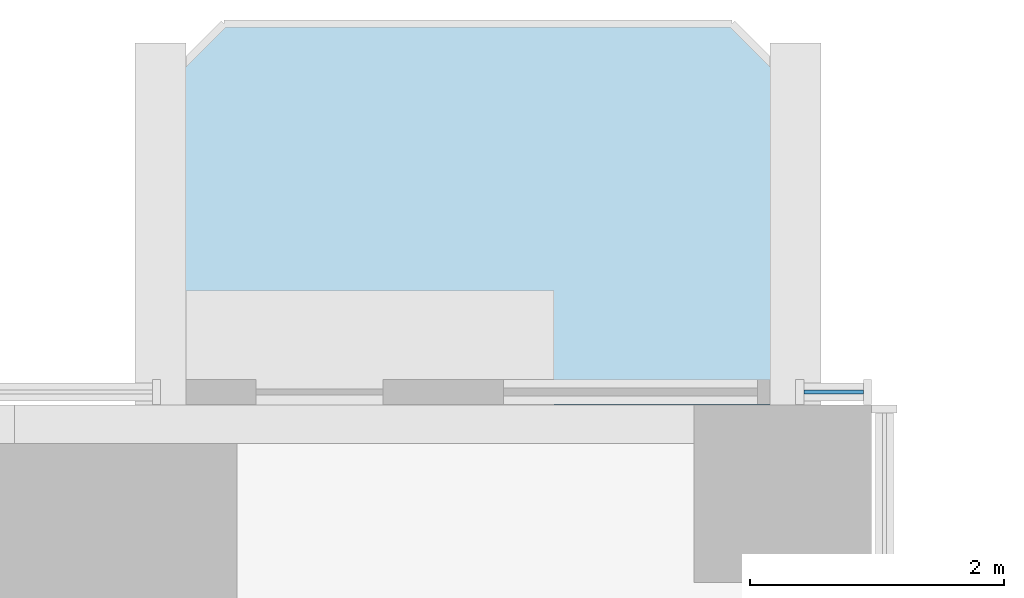
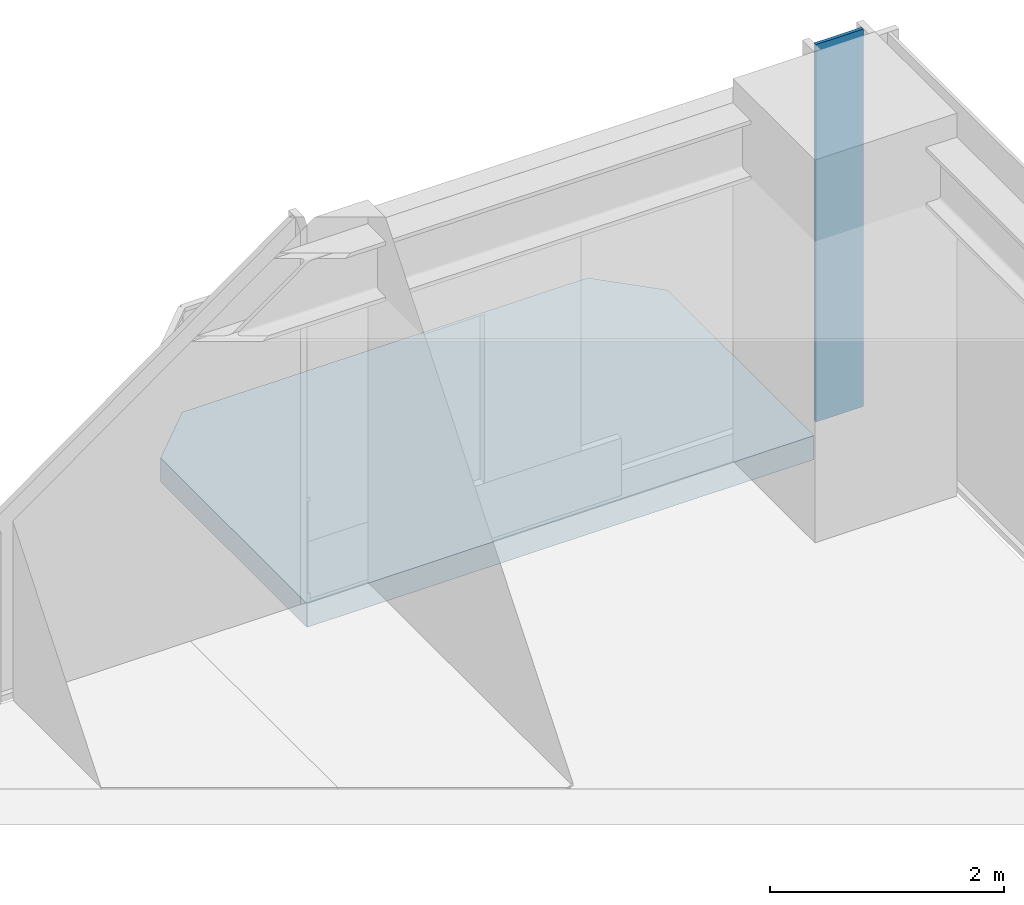
# One storey, part 10 of 17: 1 plate, 1 slab, 1 element without a shape of its own.
"""IFC4 building model written with IfcOpenShell, lengths in metres."""

from ifc_helpers import new_model, si_unit, direction, frame, origin, origin_2d, place, context, subcontext, project, spatial, polyline, rectangle, outline, extrude, material, layer, layer_set, type_object, element, aggregate, save


model = new_model("IFC4")

# Units and contexts
model_context = context("Model", 3, precision=1e-05, world=origin(), true_north=direction((0.0, 1.0)))
body_context = subcontext(model_context, "Body", "Model", "MODEL_VIEW")
ifc_project = project(units=[si_unit("LENGTHUNIT", "METRE"), si_unit("AREAUNIT", "SQUARE_METRE"), si_unit("VOLUMEUNIT", "CUBIC_METRE"), si_unit("PLANEANGLEUNIT", "RADIAN"), si_unit("MASSUNIT", "GRAM", prefix="KILO")], contexts=[model_context])

# Site, building, storey
site_placement = place(None, origin())
site = spatial("IfcSite", under=ifc_project, at=site_placement, CompositionType="ELEMENT")
building_placement = place(site_placement, origin())
building = spatial("IfcBuilding", under=site, at=building_placement, Name="Svetlomir Tower", CompositionType="ELEMENT")
storey_placement = place(building_placement, frame((0.0, 0.0, 30.5)))
storey = spatial("IfcBuildingStorey", under=building, at=storey_placement, Name="L06", CompositionType="ELEMENT", Elevation=30.5)

# Slab
ifc_material_1 = material(Name="Concrete C60/75", Category="concrete")
ifc_layer_1 = layer(ifc_material_1, 0.25)
ifc_layer_set_1 = layer_set([ifc_layer_1], Name="Concrete C60/75")
slab_type = type_object("IfcSlabType", Name="BALCONY SLAB 250", PredefinedType="FLOOR", material=ifc_layer_set_1)
slab_placement = place(storey_placement, frame((0.0, 0.0, -0.25)))
element("IfcSlab", 1, at=slab_placement, inside=storey, type_object=slab_type, Name="L06 N planted balcony", PredefinedType="FLOOR", context=body_context, shape_type="SweptSolid", body=[
    extrude(outline(polyline([(30.39990234375, 42.0), (35.39990234375, 42.0), (35.39990234375, 44.5), (34.89990234375, 45.0), (30.89990234375, 45.0), (30.39990234375, 44.5), (30.39990234375, 42.0)])), origin(), (0.0, 0.0, 1.0), 0.25),
])

# Curtain wall, plate
ifc_material_2 = material(Name="Bronze anodised aluminium curtain wall", Category="aluminium")
curtain_wall_type = type_object("IfcCurtainWallType", Name="CURTAIN WALL CW1 TOWER OFFICE", PredefinedType="NOTDEFINED", material=ifc_material_2)
curtain_wall_placement = place(storey_placement, origin())
curtain_wall = element("IfcCurtainWall", 2, at=curtain_wall_placement, inside=storey, type_object=curtain_wall_type, Name="Curtain wall CW1 L06", PredefinedType="NOTDEFINED")
ifc_material_3 = material(Name="Tinted double glazed unit", Category="glass")
ifc_layer_2 = layer(ifc_material_3, 0.031982421875)
ifc_layer_set_2 = layer_set([ifc_layer_2], Name="Tinted double glazed unit")
plate_type = type_object("IfcPlateType", Name="CW1 GLAZED PANEL 32", PredefinedType="CURTAIN_PANEL", material=ifc_layer_set_2)
plate_placement = place(storey_placement, frame((35.699951171875, 42.10009765625, 0.06494140625), z_axis=(0.0, 0.0, 1.0), x_axis=(-1.0, 0.0, 0.0)))
plate = element("IfcPlate", 3, at=plate_placement, type_object=plate_type, Name="CW1 panel 1.1", PredefinedType="CURTAIN_PANEL", context=body_context, shape_type="SweptSolid", body=[
    extrude(rectangle(XDim=0.469970703125, YDim=0.031982421875, at=origin_2d()), origin(), (0.0, 0.0, 1.0), 3.93505859375),
])
aggregate(curtain_wall, [plate])

save(model, "model.ifc")
